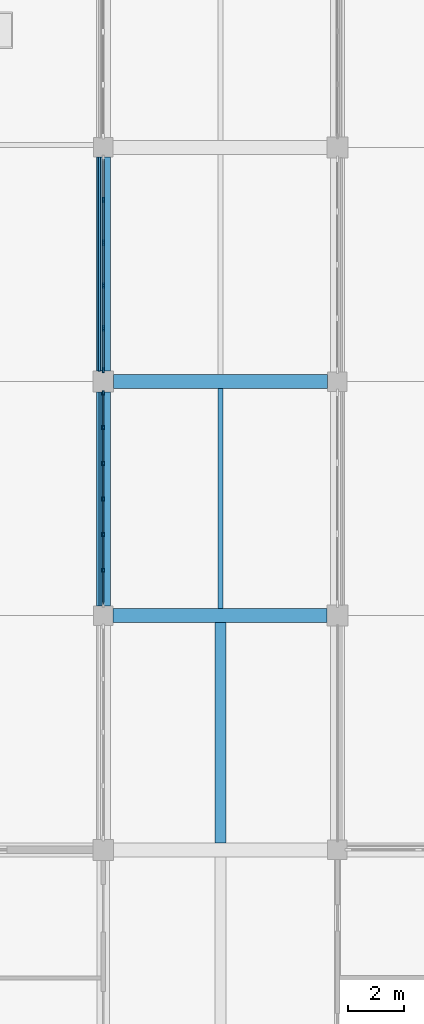
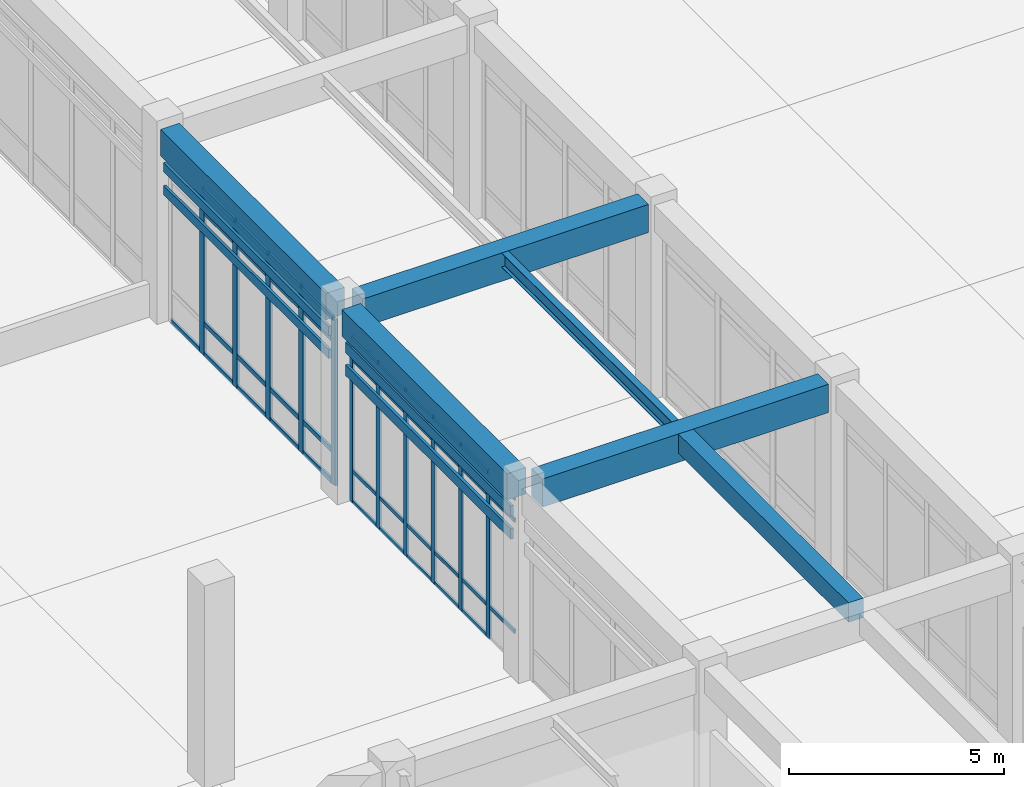
# One storey, part 27 of 91: 55 members, 6 beams, 2 elements without a shape of their own.
"""IFC4 building model written with IfcOpenShell, lengths in metres."""

from ifc_helpers import new_model, si_unit, direction, frame, origin, origin_2d, place, context, subcontext, project, spatial, rectangle, i_section, extrude, material, layer, layer_set, material_profile, profile_set, type_object, element, aggregate, save


model = new_model("IFC4")

# Units and contexts
model_context = context("Model", 3, precision=1e-05, world=origin(), true_north=direction((0.0, 1.0)))
body_context = subcontext(model_context, "Body", "Model", "MODEL_VIEW")
ifc_project = project(units=[si_unit("LENGTHUNIT", "METRE"), si_unit("AREAUNIT", "SQUARE_METRE"), si_unit("VOLUMEUNIT", "CUBIC_METRE"), si_unit("PLANEANGLEUNIT", "RADIAN"), si_unit("MASSUNIT", "GRAM", prefix="KILO")], contexts=[model_context])

# Site, building, storey
site_placement = place(None, origin())
site = spatial("IfcSite", under=ifc_project, at=site_placement, CompositionType="ELEMENT")
building_placement = place(site_placement, origin())
building = spatial("IfcBuilding", under=site, at=building_placement, Name="Porcellanite Civic Hall", CompositionType="ELEMENT")
storey_placement = place(building_placement, origin())
storey = spatial("IfcBuildingStorey", under=building, at=storey_placement, Name="L00", CompositionType="ELEMENT", Elevation=0.0)

# Beams
ifc_material_1 = material(Name="Concrete N50 (50 MPa)", Category="concrete")
ifc_material_profile_1 = material_profile(ifc_material_1, rectangle(XDim=0.39990234375, YDim=0.550048828125, at=origin_2d()), Name="RC-400x550")
ifc_profile_set_1 = profile_set([ifc_material_profile_1], Name="Concrete N50 (50 MPa)")
beam_type_1 = type_object("IfcBeamType", Name="BM-RC550", PredefinedType="JOIST", material=ifc_profile_set_1)
beam_1_placement = place(storey_placement, frame((121.800048828125, 67.449462890625, 5.22509765625), z_axis=(0.0, 1.0, 0.0), x_axis=(-1.0, 0.0, 0.0)))
element("IfcBeam", 1, at=beam_1_placement, inside=storey, type_object=beam_type_1, Name="Secondary joist L00 15-9", PredefinedType="JOIST", context=body_context, shape_type="SweptSolid", body=[
    extrude(rectangle(XDim=0.39990234375, YDim=0.550048828125, at=origin_2d()), origin(), (0.0, 0.0, 1.0), 7.901123046875),
])
ifc_material_2 = material(Name="Concrete N50 (50 MPa)", Category="concrete")
ifc_material_profile_2 = material_profile(ifc_material_2, rectangle(XDim=0.5, YDim=0.75, at=origin_2d()), Name="RC-500x750")
ifc_profile_set_2 = profile_set([ifc_material_profile_2], Name="Concrete N50 (50 MPa)")
beam_type_2 = type_object("IfcBeamType", Name="BM-RC750", PredefinedType="SPANDREL", material=ifc_profile_set_2)
for number, where, z_axis, x_axis, name in (
    (2, (117.60009765625, 75.949462890625, 5.125), (0.0, 1.0, 0.0), (-1.0, 0.0, 0.0), "Beam Y L00 15-10"),
    (3, (117.60009765625, 84.37451171875, 5.125), (0.0, 1.0, 0.0), (-1.0, 0.0, 0.0), "Beam Y L00 15-11"),
):
    element("IfcBeam", number, at=place(storey_placement, frame(where, z_axis=z_axis, x_axis=x_axis)), inside=storey, type_object=beam_type_2, Name=name, PredefinedType="SPANDREL", context=body_context, shape_type="SweptSolid", body=[
        extrude(rectangle(XDim=0.5, YDim=0.75, at=origin_2d()), origin(), (0.0, 0.0, 1.0), 7.676025390625),
    ])
ifc_material_3 = material(Name="Concrete N50 (50 MPa)", Category="concrete")
ifc_material_profile_3 = material_profile(ifc_material_3, rectangle(XDim=0.5, YDim=0.800048828125, at=origin_2d()), Name="RC-500x800")
ifc_profile_set_3 = profile_set([ifc_material_profile_3], Name="Concrete N50 (50 MPa)")
beam_type_3 = type_object("IfcBeamType", Name="BM-RC800", PredefinedType="BEAM", material=ifc_profile_set_3)
beam_2_placement = place(storey_placement, frame((117.949462890625, 75.60009765625, 5.10009765625), z_axis=(1.0, 0.0, 0.0), x_axis=(0.0, 1.0, 0.0)))
element("IfcBeam", 4, at=beam_2_placement, inside=storey, type_object=beam_type_3, Name="Beam X L00 15-10", PredefinedType="BEAM", context=body_context, shape_type="SweptSolid", body=[
    extrude(rectangle(XDim=0.5, YDim=0.800048828125, at=origin_2d()), origin(), (0.0, 0.0, 1.0), 7.676025390625),
])
beam_3_placement = place(storey_placement, frame((117.974609375, 84.0, 5.10009765625), z_axis=(1.0, 0.0, 0.0), x_axis=(0.0, 1.0, 0.0)))
element("IfcBeam", 5, at=beam_3_placement, inside=storey, type_object=beam_type_3, Name="Beam X L00 15-11", PredefinedType="BEAM", context=body_context, shape_type="SweptSolid", body=[
    extrude(rectangle(XDim=0.5, YDim=0.800048828125, at=origin_2d()), origin(), (0.0, 0.0, 1.0), 7.67578125),
])

# Curtain wall, members
ifc_material_4 = material(Name="Anodised aluminium and solar laminated glass", Category="aluminium")
ifc_layer_1 = layer(ifc_material_4, 0.179931640625)
ifc_layer_set_1 = layer_set([ifc_layer_1], Name="Anodised aluminium and solar laminated glass")
curtain_wall_type_1 = type_object("IfcCurtainWallType", Name="CW-SYS01", PredefinedType="NOTDEFINED", material=ifc_layer_set_1)
curtain_wall_1_placement = place(storey_placement, origin())
curtain_wall_1 = element("IfcCurtainWall", 6, at=curtain_wall_1_placement, inside=storey, type_object=curtain_wall_type_1, Name="Curtain wall CW-041", PredefinedType="NOTDEFINED")
ifc_material_5 = material(Name="Anodised aluminium 6063-T6", Category="aluminium")
ifc_material_profile_4 = material_profile(ifc_material_5, rectangle(XDim=0.070068359375, YDim=0.199951171875, at=origin_2d()), Name="AL-70x200")
ifc_profile_set_4 = profile_set([ifc_material_profile_4], Name="Anodised aluminium 6063-T6")
member_type_1 = type_object("IfcMemberType", Name="CWM-05", PredefinedType="MULLION", material=ifc_profile_set_4)
member_1_placement = place(storey_placement, frame((117.60009765625, 84.410888671875, 0.0), z_axis=(0.0, 0.0, 1.0), x_axis=(-1.0, 0.0, 0.0)))
member_1 = element("IfcMember", 7, at=member_1_placement, type_object=member_type_1, Name="CW-041 mullion 1", PredefinedType="MULLION", context=body_context, shape_type="SweptSolid", body=[
    extrude(rectangle(XDim=0.070068359375, YDim=0.199951171875, at=origin_2d()), origin(), (0.0, 0.0, 1.0), 4.699951171875),
])
member_2_placement = place(storey_placement, frame((117.60009765625, 85.91064453125, 0.0), z_axis=(0.0, 0.0, 1.0), x_axis=(-1.0, 0.0, 0.0)))
member_2 = element("IfcMember", 8, at=member_2_placement, type_object=member_type_1, Name="CW-041 mullion 2", PredefinedType="MULLION", context=body_context, shape_type="SweptSolid", body=[
    extrude(rectangle(XDim=0.070068359375, YDim=0.199951171875, at=origin_2d()), origin(), (0.0, 0.0, 1.0), 4.699951171875),
])
member_3_placement = place(storey_placement, frame((117.60009765625, 87.4453125, 0.0), z_axis=(0.0, 0.0, 1.0), x_axis=(-1.0, 0.0, 0.0)))
member_3 = element("IfcMember", 9, at=member_3_placement, type_object=member_type_1, Name="CW-041 mullion 3", PredefinedType="MULLION", context=body_context, shape_type="SweptSolid", body=[
    extrude(rectangle(XDim=0.070068359375, YDim=0.199951171875, at=origin_2d()), origin(), (0.0, 0.0, 1.0), 4.699951171875),
])
member_4_placement = place(storey_placement, frame((117.60009765625, 88.979736328125, 0.0), z_axis=(0.0, 0.0, 1.0), x_axis=(-1.0, 0.0, 0.0)))
member_4 = element("IfcMember", 10, at=member_4_placement, type_object=member_type_1, Name="CW-041 mullion 4", PredefinedType="MULLION", context=body_context, shape_type="SweptSolid", body=[
    extrude(rectangle(XDim=0.070068359375, YDim=0.199951171875, at=origin_2d()), origin(), (0.0, 0.0, 1.0), 4.699951171875),
])
member_5_placement = place(storey_placement, frame((117.60009765625, 90.514404296875, 0.0), z_axis=(0.0, 0.0, 1.0), x_axis=(-1.0, 0.0, 0.0)))
member_5 = element("IfcMember", 11, at=member_5_placement, type_object=member_type_1, Name="CW-041 mullion 5", PredefinedType="MULLION", context=body_context, shape_type="SweptSolid", body=[
    extrude(rectangle(XDim=0.070068359375, YDim=0.199951171875, at=origin_2d()), origin(), (0.0, 0.0, 1.0), 4.699951171875),
])

ifc_material_6 = material(Name="Anodised aluminium and solar laminated glass", Category="aluminium")
ifc_layer_2 = layer(ifc_material_6, 0.179931640625)
ifc_layer_set_2 = layer_set([ifc_layer_2], Name="Anodised aluminium and solar laminated glass")
curtain_wall_type_2 = type_object("IfcCurtainWallType", Name="CW-SYS07", PredefinedType="NOTDEFINED", material=ifc_layer_set_2)
curtain_wall_2_placement = place(storey_placement, origin())
curtain_wall_2 = element("IfcCurtainWall", 12, at=curtain_wall_2_placement, inside=storey, type_object=curtain_wall_type_2, Name="Curtain wall CW-039", PredefinedType="NOTDEFINED")
ifc_material_7 = material(Name="Anodised aluminium 6063-T6", Category="aluminium")
ifc_material_profile_5 = material_profile(ifc_material_7, rectangle(XDim=0.06005859375, YDim=0.159912109375, at=origin_2d()), Name="AL-60x160")
ifc_profile_set_5 = profile_set([ifc_material_profile_5], Name="Anodised aluminium 6063-T6")
member_type_2 = type_object("IfcMemberType", Name="CWM-07", PredefinedType="MULLION", material=ifc_profile_set_5)
member_6_placement = place(storey_placement, frame((117.60009765625, 77.229736328125, 0.0), z_axis=(0.0, 0.0, 1.0), x_axis=(-1.0, 0.0, 0.0)))
member_6 = element("IfcMember", 13, at=member_6_placement, type_object=member_type_2, Name="CW-039 mullion 2", PredefinedType="MULLION", context=body_context, shape_type="SweptSolid", body=[
    extrude(rectangle(XDim=0.06005859375, YDim=0.159912109375, at=origin_2d()), origin(), (0.0, 0.0, 1.0), 4.699951171875),
])
member_7_placement = place(storey_placement, frame((117.60009765625, 78.508544921875, 0.0), z_axis=(0.0, 0.0, 1.0), x_axis=(-1.0, 0.0, 0.0)))
member_7 = element("IfcMember", 14, at=member_7_placement, type_object=member_type_2, Name="CW-039 mullion 3", PredefinedType="MULLION", context=body_context, shape_type="SweptSolid", body=[
    extrude(rectangle(XDim=0.06005859375, YDim=0.159912109375, at=origin_2d()), origin(), (0.0, 0.0, 1.0), 4.699951171875),
])
member_8_placement = place(storey_placement, frame((117.60009765625, 79.78759765625, 0.0), z_axis=(0.0, 0.0, 1.0), x_axis=(-1.0, 0.0, 0.0)))
member_8 = element("IfcMember", 15, at=member_8_placement, type_object=member_type_2, Name="CW-039 mullion 4", PredefinedType="MULLION", context=body_context, shape_type="SweptSolid", body=[
    extrude(rectangle(XDim=0.06005859375, YDim=0.159912109375, at=origin_2d()), origin(), (0.0, 0.0, 1.0), 4.699951171875),
])
member_9_placement = place(storey_placement, frame((117.60009765625, 81.06640625, 0.0), z_axis=(0.0, 0.0, 1.0), x_axis=(-1.0, 0.0, 0.0)))
member_9 = element("IfcMember", 16, at=member_9_placement, type_object=member_type_2, Name="CW-039 mullion 5", PredefinedType="MULLION", context=body_context, shape_type="SweptSolid", body=[
    extrude(rectangle(XDim=0.06005859375, YDim=0.159912109375, at=origin_2d()), origin(), (0.0, 0.0, 1.0), 4.699951171875),
])
member_10_placement = place(storey_placement, frame((117.60009765625, 82.34521484375, 0.0), z_axis=(0.0, 0.0, 1.0), x_axis=(-1.0, 0.0, 0.0)))
member_10 = element("IfcMember", 17, at=member_10_placement, type_object=member_type_2, Name="CW-039 mullion 6", PredefinedType="MULLION", context=body_context, shape_type="SweptSolid", body=[
    extrude(rectangle(XDim=0.06005859375, YDim=0.159912109375, at=origin_2d()), origin(), (0.0, 0.0, 1.0), 4.699951171875),
])
member_11_placement = place(storey_placement, frame((117.60009765625, 83.593994140625, 0.0), z_axis=(0.0, 0.0, 1.0), x_axis=(-1.0, 0.0, 0.0)))
member_11 = element("IfcMember", 18, at=member_11_placement, type_object=member_type_2, Name="CW-039 mullion 7", PredefinedType="MULLION", context=body_context, shape_type="SweptSolid", body=[
    extrude(rectangle(XDim=0.06005859375, YDim=0.159912109375, at=origin_2d()), origin(), (0.0, 0.0, 1.0), 4.699951171875),
])

# Member
ifc_material_8 = material(Name="Anodised aluminium 6063-T6", Category="aluminium")
ifc_material_profile_6 = material_profile(ifc_material_8, rectangle(XDim=0.06005859375, YDim=0.1298828125, at=origin_2d()), Name="AL-60x130")
ifc_profile_set_6 = profile_set([ifc_material_profile_6], Name="Anodised aluminium 6063-T6")
member_type_3 = type_object("IfcMemberType", Name="CWT-03", PredefinedType="USERDEFINED", material=ifc_profile_set_6)
member_12_placement = place(storey_placement, frame((117.60009765625, 84.446044921875, 0.030029296875), z_axis=(0.0, 1.0, 0.0), x_axis=(-1.0, 0.0, 0.0)))
member_12 = element("IfcMember", 19, at=member_12_placement, type_object=member_type_3, Name="CW-041 transom 1.1", ObjectType="TRANSOM", PredefinedType="USERDEFINED", context=body_context, shape_type="SweptSolid", body=[
    extrude(rectangle(XDim=0.06005859375, YDim=0.1298828125, at=origin_2d()), origin(), (0.0, 0.0, 1.0), 1.429443359375),
])

member_13_placement = place(storey_placement, frame((117.60009765625, 84.446044921875, 0.89990234375), z_axis=(0.0, 1.0, 0.0), x_axis=(-1.0, 0.0, 0.0)))
member_13 = element("IfcMember", 20, at=member_13_placement, type_object=member_type_3, Name="CW-041 transom 1.2", ObjectType="TRANSOM", PredefinedType="USERDEFINED", context=body_context, shape_type="SweptSolid", body=[
    extrude(rectangle(XDim=0.06005859375, YDim=0.1298828125, at=origin_2d()), origin(), (0.0, 0.0, 1.0), 1.429443359375),
])

member_14_placement = place(storey_placement, frame((117.60009765625, 84.446044921875, 4.050048828125), z_axis=(0.0, 1.0, 0.0), x_axis=(-1.0, 0.0, 0.0)))
member_14 = element("IfcMember", 21, at=member_14_placement, type_object=member_type_3, Name="CW-041 transom 1.3", ObjectType="TRANSOM", PredefinedType="USERDEFINED", context=body_context, shape_type="SweptSolid", body=[
    extrude(rectangle(XDim=0.06005859375, YDim=0.1298828125, at=origin_2d()), origin(), (0.0, 0.0, 1.0), 1.429443359375),
])

member_15_placement = place(storey_placement, frame((117.60009765625, 84.446044921875, 4.669921875), z_axis=(0.0, 1.0, 0.0), x_axis=(-1.0, 0.0, 0.0)))
member_15 = element("IfcMember", 22, at=member_15_placement, type_object=member_type_3, Name="CW-041 transom 1.4", ObjectType="TRANSOM", PredefinedType="USERDEFINED", context=body_context, shape_type="SweptSolid", body=[
    extrude(rectangle(XDim=0.06005859375, YDim=0.1298828125, at=origin_2d()), origin(), (0.0, 0.0, 1.0), 1.429443359375),
])

member_16_placement = place(storey_placement, frame((117.60009765625, 85.945556640625, 0.030029296875), z_axis=(0.0, 1.0, 0.0), x_axis=(-1.0, 0.0, 0.0)))
member_16 = element("IfcMember", 23, at=member_16_placement, type_object=member_type_3, Name="CW-041 transom 2.1", ObjectType="TRANSOM", PredefinedType="USERDEFINED", context=body_context, shape_type="SweptSolid", body=[
    extrude(rectangle(XDim=0.06005859375, YDim=0.1298828125, at=origin_2d()), origin(), (0.0, 0.0, 1.0), 1.464599609375),
])

member_17_placement = place(storey_placement, frame((117.60009765625, 85.945556640625, 0.89990234375), z_axis=(0.0, 1.0, 0.0), x_axis=(-1.0, 0.0, 0.0)))
member_17 = element("IfcMember", 24, at=member_17_placement, type_object=member_type_3, Name="CW-041 transom 2.2", ObjectType="TRANSOM", PredefinedType="USERDEFINED", context=body_context, shape_type="SweptSolid", body=[
    extrude(rectangle(XDim=0.06005859375, YDim=0.1298828125, at=origin_2d()), origin(), (0.0, 0.0, 1.0), 1.464599609375),
])

member_18_placement = place(storey_placement, frame((117.60009765625, 85.945556640625, 4.050048828125), z_axis=(0.0, 1.0, 0.0), x_axis=(-1.0, 0.0, 0.0)))
member_18 = element("IfcMember", 25, at=member_18_placement, type_object=member_type_3, Name="CW-041 transom 2.3", ObjectType="TRANSOM", PredefinedType="USERDEFINED", context=body_context, shape_type="SweptSolid", body=[
    extrude(rectangle(XDim=0.06005859375, YDim=0.1298828125, at=origin_2d()), origin(), (0.0, 0.0, 1.0), 1.464599609375),
])

member_19_placement = place(storey_placement, frame((117.60009765625, 85.945556640625, 4.669921875), z_axis=(0.0, 1.0, 0.0), x_axis=(-1.0, 0.0, 0.0)))
member_19 = element("IfcMember", 26, at=member_19_placement, type_object=member_type_3, Name="CW-041 transom 2.4", ObjectType="TRANSOM", PredefinedType="USERDEFINED", context=body_context, shape_type="SweptSolid", body=[
    extrude(rectangle(XDim=0.06005859375, YDim=0.1298828125, at=origin_2d()), origin(), (0.0, 0.0, 1.0), 1.464599609375),
])

member_20_placement = place(storey_placement, frame((117.60009765625, 87.480224609375, 0.030029296875), z_axis=(0.0, 1.0, 0.0), x_axis=(-1.0, 0.0, 0.0)))
member_20 = element("IfcMember", 27, at=member_20_placement, type_object=member_type_3, Name="CW-041 transom 3.1", ObjectType="TRANSOM", PredefinedType="USERDEFINED", context=body_context, shape_type="SweptSolid", body=[
    extrude(rectangle(XDim=0.06005859375, YDim=0.1298828125, at=origin_2d()), origin(), (0.0, 0.0, 1.0), 1.464599609375),
])

member_21_placement = place(storey_placement, frame((117.60009765625, 87.480224609375, 0.89990234375), z_axis=(0.0, 1.0, 0.0), x_axis=(-1.0, 0.0, 0.0)))
member_21 = element("IfcMember", 28, at=member_21_placement, type_object=member_type_3, Name="CW-041 transom 3.2", ObjectType="TRANSOM", PredefinedType="USERDEFINED", context=body_context, shape_type="SweptSolid", body=[
    extrude(rectangle(XDim=0.06005859375, YDim=0.1298828125, at=origin_2d()), origin(), (0.0, 0.0, 1.0), 1.464599609375),
])

member_22_placement = place(storey_placement, frame((117.60009765625, 87.480224609375, 4.050048828125), z_axis=(0.0, 1.0, 0.0), x_axis=(-1.0, 0.0, 0.0)))
member_22 = element("IfcMember", 29, at=member_22_placement, type_object=member_type_3, Name="CW-041 transom 3.3", ObjectType="TRANSOM", PredefinedType="USERDEFINED", context=body_context, shape_type="SweptSolid", body=[
    extrude(rectangle(XDim=0.06005859375, YDim=0.1298828125, at=origin_2d()), origin(), (0.0, 0.0, 1.0), 1.464599609375),
])

member_23_placement = place(storey_placement, frame((117.60009765625, 87.480224609375, 4.669921875), z_axis=(0.0, 1.0, 0.0), x_axis=(-1.0, 0.0, 0.0)))
member_23 = element("IfcMember", 30, at=member_23_placement, type_object=member_type_3, Name="CW-041 transom 3.4", ObjectType="TRANSOM", PredefinedType="USERDEFINED", context=body_context, shape_type="SweptSolid", body=[
    extrude(rectangle(XDim=0.06005859375, YDim=0.1298828125, at=origin_2d()), origin(), (0.0, 0.0, 1.0), 1.464599609375),
])

member_24_placement = place(storey_placement, frame((117.60009765625, 89.014892578125, 0.030029296875), z_axis=(0.0, 1.0, 0.0), x_axis=(-1.0, 0.0, 0.0)))
member_24 = element("IfcMember", 31, at=member_24_placement, type_object=member_type_3, Name="CW-041 transom 4.1", ObjectType="TRANSOM", PredefinedType="USERDEFINED", context=body_context, shape_type="SweptSolid", body=[
    extrude(rectangle(XDim=0.06005859375, YDim=0.1298828125, at=origin_2d()), origin(), (0.0, 0.0, 1.0), 1.464599609375),
])

member_25_placement = place(storey_placement, frame((117.60009765625, 89.014892578125, 0.89990234375), z_axis=(0.0, 1.0, 0.0), x_axis=(-1.0, 0.0, 0.0)))
member_25 = element("IfcMember", 32, at=member_25_placement, type_object=member_type_3, Name="CW-041 transom 4.2", ObjectType="TRANSOM", PredefinedType="USERDEFINED", context=body_context, shape_type="SweptSolid", body=[
    extrude(rectangle(XDim=0.06005859375, YDim=0.1298828125, at=origin_2d()), origin(), (0.0, 0.0, 1.0), 1.464599609375),
])

member_26_placement = place(storey_placement, frame((117.60009765625, 89.014892578125, 4.050048828125), z_axis=(0.0, 1.0, 0.0), x_axis=(-1.0, 0.0, 0.0)))
member_26 = element("IfcMember", 33, at=member_26_placement, type_object=member_type_3, Name="CW-041 transom 4.3", ObjectType="TRANSOM", PredefinedType="USERDEFINED", context=body_context, shape_type="SweptSolid", body=[
    extrude(rectangle(XDim=0.06005859375, YDim=0.1298828125, at=origin_2d()), origin(), (0.0, 0.0, 1.0), 1.464599609375),
])

member_27_placement = place(storey_placement, frame((117.60009765625, 89.014892578125, 4.669921875), z_axis=(0.0, 1.0, 0.0), x_axis=(-1.0, 0.0, 0.0)))
member_27 = element("IfcMember", 34, at=member_27_placement, type_object=member_type_3, Name="CW-041 transom 4.4", ObjectType="TRANSOM", PredefinedType="USERDEFINED", context=body_context, shape_type="SweptSolid", body=[
    extrude(rectangle(XDim=0.06005859375, YDim=0.1298828125, at=origin_2d()), origin(), (0.0, 0.0, 1.0), 1.464599609375),
])

member_28_placement = place(storey_placement, frame((117.60009765625, 90.54931640625, 0.030029296875), z_axis=(0.0, 1.0, 0.0), x_axis=(-1.0, 0.0, 0.0)))
member_28 = element("IfcMember", 35, at=member_28_placement, type_object=member_type_3, Name="CW-041 transom 5.1", ObjectType="TRANSOM", PredefinedType="USERDEFINED", context=body_context, shape_type="SweptSolid", body=[
    extrude(rectangle(XDim=0.06005859375, YDim=0.1298828125, at=origin_2d()), origin(), (0.0, 0.0, 1.0), 1.4296875),
])

aggregate(curtain_wall_1, [member_1, member_2, member_3, member_4, member_5, member_12, member_13, member_14, member_15, member_16, member_17, member_18, member_19, member_20, member_21, member_22, member_23, member_24, member_25, member_26, member_27, member_28])

ifc_material_9 = material(Name="Anodised aluminium 6063-T6", Category="aluminium")
ifc_material_profile_7 = material_profile(ifc_material_9, rectangle(XDim=0.050048828125, YDim=0.110107421875, at=origin_2d()), Name="AL-50x110")
ifc_profile_set_7 = profile_set([ifc_material_profile_7], Name="Anodised aluminium 6063-T6")
member_type_4 = type_object("IfcMemberType", Name="CWT-07", PredefinedType="USERDEFINED", material=ifc_profile_set_7)
member_29_placement = place(storey_placement, frame((117.60009765625, 76.010986328125, 0.89990234375), z_axis=(0.0, 1.0, 0.0), x_axis=(-1.0, 0.0, 0.0)))
member_29 = element("IfcMember", 36, at=member_29_placement, type_object=member_type_4, Name="CW-039 transom 1.2", ObjectType="TRANSOM", PredefinedType="USERDEFINED", context=body_context, shape_type="SweptSolid", body=[
    extrude(rectangle(XDim=0.050048828125, YDim=0.110107421875, at=origin_2d()), origin(), (0.0, 0.0, 1.0), 1.18896484375),
])

member_30_placement = place(storey_placement, frame((117.60009765625, 76.010986328125, 4.050048828125), z_axis=(0.0, 1.0, 0.0), x_axis=(-1.0, 0.0, 0.0)))
member_30 = element("IfcMember", 37, at=member_30_placement, type_object=member_type_4, Name="CW-039 transom 1.3", ObjectType="TRANSOM", PredefinedType="USERDEFINED", context=body_context, shape_type="SweptSolid", body=[
    extrude(rectangle(XDim=0.050048828125, YDim=0.110107421875, at=origin_2d()), origin(), (0.0, 0.0, 1.0), 1.18896484375),
])

member_31_placement = place(storey_placement, frame((117.60009765625, 76.010986328125, 4.675048828125), z_axis=(0.0, 1.0, 0.0), x_axis=(-1.0, 0.0, 0.0)))
member_31 = element("IfcMember", 38, at=member_31_placement, type_object=member_type_4, Name="CW-039 transom 1.4", ObjectType="TRANSOM", PredefinedType="USERDEFINED", context=body_context, shape_type="SweptSolid", body=[
    extrude(rectangle(XDim=0.050048828125, YDim=0.110107421875, at=origin_2d()), origin(), (0.0, 0.0, 1.0), 1.18896484375),
])

member_32_placement = place(storey_placement, frame((117.60009765625, 77.259765625, 0.02490234375), z_axis=(0.0, 1.0, 0.0), x_axis=(-1.0, 0.0, 0.0)))
member_32 = element("IfcMember", 39, at=member_32_placement, type_object=member_type_4, Name="CW-039 transom 2.1", ObjectType="TRANSOM", PredefinedType="USERDEFINED", context=body_context, shape_type="SweptSolid", body=[
    extrude(rectangle(XDim=0.050048828125, YDim=0.110107421875, at=origin_2d()), origin(), (0.0, 0.0, 1.0), 1.218994140625),
])

member_33_placement = place(storey_placement, frame((117.60009765625, 77.259765625, 0.89990234375), z_axis=(0.0, 1.0, 0.0), x_axis=(-1.0, 0.0, 0.0)))
member_33 = element("IfcMember", 40, at=member_33_placement, type_object=member_type_4, Name="CW-039 transom 2.2", ObjectType="TRANSOM", PredefinedType="USERDEFINED", context=body_context, shape_type="SweptSolid", body=[
    extrude(rectangle(XDim=0.050048828125, YDim=0.110107421875, at=origin_2d()), origin(), (0.0, 0.0, 1.0), 1.218994140625),
])

member_34_placement = place(storey_placement, frame((117.60009765625, 77.259765625, 4.050048828125), z_axis=(0.0, 1.0, 0.0), x_axis=(-1.0, 0.0, 0.0)))
member_34 = element("IfcMember", 41, at=member_34_placement, type_object=member_type_4, Name="CW-039 transom 2.3", ObjectType="TRANSOM", PredefinedType="USERDEFINED", context=body_context, shape_type="SweptSolid", body=[
    extrude(rectangle(XDim=0.050048828125, YDim=0.110107421875, at=origin_2d()), origin(), (0.0, 0.0, 1.0), 1.218994140625),
])

member_35_placement = place(storey_placement, frame((117.60009765625, 77.259765625, 4.675048828125), z_axis=(0.0, 1.0, 0.0), x_axis=(-1.0, 0.0, 0.0)))
member_35 = element("IfcMember", 42, at=member_35_placement, type_object=member_type_4, Name="CW-039 transom 2.4", ObjectType="TRANSOM", PredefinedType="USERDEFINED", context=body_context, shape_type="SweptSolid", body=[
    extrude(rectangle(XDim=0.050048828125, YDim=0.110107421875, at=origin_2d()), origin(), (0.0, 0.0, 1.0), 1.218994140625),
])

member_36_placement = place(storey_placement, frame((117.60009765625, 78.53857421875, 0.02490234375), z_axis=(0.0, 1.0, 0.0), x_axis=(-1.0, 0.0, 0.0)))
member_36 = element("IfcMember", 43, at=member_36_placement, type_object=member_type_4, Name="CW-039 transom 3.1", ObjectType="TRANSOM", PredefinedType="USERDEFINED", context=body_context, shape_type="SweptSolid", body=[
    extrude(rectangle(XDim=0.050048828125, YDim=0.110107421875, at=origin_2d()), origin(), (0.0, 0.0, 1.0), 1.218994140625),
])

member_37_placement = place(storey_placement, frame((117.60009765625, 78.53857421875, 0.89990234375), z_axis=(0.0, 1.0, 0.0), x_axis=(-1.0, 0.0, 0.0)))
member_37 = element("IfcMember", 44, at=member_37_placement, type_object=member_type_4, Name="CW-039 transom 3.2", ObjectType="TRANSOM", PredefinedType="USERDEFINED", context=body_context, shape_type="SweptSolid", body=[
    extrude(rectangle(XDim=0.050048828125, YDim=0.110107421875, at=origin_2d()), origin(), (0.0, 0.0, 1.0), 1.218994140625),
])

member_38_placement = place(storey_placement, frame((117.60009765625, 78.53857421875, 4.050048828125), z_axis=(0.0, 1.0, 0.0), x_axis=(-1.0, 0.0, 0.0)))
member_38 = element("IfcMember", 45, at=member_38_placement, type_object=member_type_4, Name="CW-039 transom 3.3", ObjectType="TRANSOM", PredefinedType="USERDEFINED", context=body_context, shape_type="SweptSolid", body=[
    extrude(rectangle(XDim=0.050048828125, YDim=0.110107421875, at=origin_2d()), origin(), (0.0, 0.0, 1.0), 1.218994140625),
])

member_39_placement = place(storey_placement, frame((117.60009765625, 78.53857421875, 4.675048828125), z_axis=(0.0, 1.0, 0.0), x_axis=(-1.0, 0.0, 0.0)))
member_39 = element("IfcMember", 46, at=member_39_placement, type_object=member_type_4, Name="CW-039 transom 3.4", ObjectType="TRANSOM", PredefinedType="USERDEFINED", context=body_context, shape_type="SweptSolid", body=[
    extrude(rectangle(XDim=0.050048828125, YDim=0.110107421875, at=origin_2d()), origin(), (0.0, 0.0, 1.0), 1.218994140625),
])

member_40_placement = place(storey_placement, frame((117.60009765625, 79.8173828125, 0.02490234375), z_axis=(0.0, 1.0, 0.0), x_axis=(-1.0, 0.0, 0.0)))
member_40 = element("IfcMember", 47, at=member_40_placement, type_object=member_type_4, Name="CW-039 transom 4.1", ObjectType="TRANSOM", PredefinedType="USERDEFINED", context=body_context, shape_type="SweptSolid", body=[
    extrude(rectangle(XDim=0.050048828125, YDim=0.110107421875, at=origin_2d()), origin(), (0.0, 0.0, 1.0), 1.218994140625),
])

member_41_placement = place(storey_placement, frame((117.60009765625, 79.8173828125, 0.89990234375), z_axis=(0.0, 1.0, 0.0), x_axis=(-1.0, 0.0, 0.0)))
member_41 = element("IfcMember", 48, at=member_41_placement, type_object=member_type_4, Name="CW-039 transom 4.2", ObjectType="TRANSOM", PredefinedType="USERDEFINED", context=body_context, shape_type="SweptSolid", body=[
    extrude(rectangle(XDim=0.050048828125, YDim=0.110107421875, at=origin_2d()), origin(), (0.0, 0.0, 1.0), 1.218994140625),
])

member_42_placement = place(storey_placement, frame((117.60009765625, 79.8173828125, 4.050048828125), z_axis=(0.0, 1.0, 0.0), x_axis=(-1.0, 0.0, 0.0)))
member_42 = element("IfcMember", 49, at=member_42_placement, type_object=member_type_4, Name="CW-039 transom 4.3", ObjectType="TRANSOM", PredefinedType="USERDEFINED", context=body_context, shape_type="SweptSolid", body=[
    extrude(rectangle(XDim=0.050048828125, YDim=0.110107421875, at=origin_2d()), origin(), (0.0, 0.0, 1.0), 1.218994140625),
])

member_43_placement = place(storey_placement, frame((117.60009765625, 79.8173828125, 4.675048828125), z_axis=(0.0, 1.0, 0.0), x_axis=(-1.0, 0.0, 0.0)))
member_43 = element("IfcMember", 50, at=member_43_placement, type_object=member_type_4, Name="CW-039 transom 4.4", ObjectType="TRANSOM", PredefinedType="USERDEFINED", context=body_context, shape_type="SweptSolid", body=[
    extrude(rectangle(XDim=0.050048828125, YDim=0.110107421875, at=origin_2d()), origin(), (0.0, 0.0, 1.0), 1.218994140625),
])

member_44_placement = place(storey_placement, frame((117.60009765625, 81.096435546875, 0.02490234375), z_axis=(0.0, 1.0, 0.0), x_axis=(-1.0, 0.0, 0.0)))
member_44 = element("IfcMember", 51, at=member_44_placement, type_object=member_type_4, Name="CW-039 transom 5.1", ObjectType="TRANSOM", PredefinedType="USERDEFINED", context=body_context, shape_type="SweptSolid", body=[
    extrude(rectangle(XDim=0.050048828125, YDim=0.110107421875, at=origin_2d()), origin(), (0.0, 0.0, 1.0), 1.21875),
])

member_45_placement = place(storey_placement, frame((117.60009765625, 81.096435546875, 0.89990234375), z_axis=(0.0, 1.0, 0.0), x_axis=(-1.0, 0.0, 0.0)))
member_45 = element("IfcMember", 52, at=member_45_placement, type_object=member_type_4, Name="CW-039 transom 5.2", ObjectType="TRANSOM", PredefinedType="USERDEFINED", context=body_context, shape_type="SweptSolid", body=[
    extrude(rectangle(XDim=0.050048828125, YDim=0.110107421875, at=origin_2d()), origin(), (0.0, 0.0, 1.0), 1.21875),
])

member_46_placement = place(storey_placement, frame((117.60009765625, 81.096435546875, 4.050048828125), z_axis=(0.0, 1.0, 0.0), x_axis=(-1.0, 0.0, 0.0)))
member_46 = element("IfcMember", 53, at=member_46_placement, type_object=member_type_4, Name="CW-039 transom 5.3", ObjectType="TRANSOM", PredefinedType="USERDEFINED", context=body_context, shape_type="SweptSolid", body=[
    extrude(rectangle(XDim=0.050048828125, YDim=0.110107421875, at=origin_2d()), origin(), (0.0, 0.0, 1.0), 1.21875),
])

member_47_placement = place(storey_placement, frame((117.60009765625, 81.096435546875, 4.675048828125), z_axis=(0.0, 1.0, 0.0), x_axis=(-1.0, 0.0, 0.0)))
member_47 = element("IfcMember", 54, at=member_47_placement, type_object=member_type_4, Name="CW-039 transom 5.4", ObjectType="TRANSOM", PredefinedType="USERDEFINED", context=body_context, shape_type="SweptSolid", body=[
    extrude(rectangle(XDim=0.050048828125, YDim=0.110107421875, at=origin_2d()), origin(), (0.0, 0.0, 1.0), 1.21875),
])

member_48_placement = place(storey_placement, frame((117.60009765625, 82.375244140625, 0.02490234375), z_axis=(0.0, 1.0, 0.0), x_axis=(-1.0, 0.0, 0.0)))
member_48 = element("IfcMember", 55, at=member_48_placement, type_object=member_type_4, Name="CW-039 transom 6.1", ObjectType="TRANSOM", PredefinedType="USERDEFINED", context=body_context, shape_type="SweptSolid", body=[
    extrude(rectangle(XDim=0.050048828125, YDim=0.110107421875, at=origin_2d()), origin(), (0.0, 0.0, 1.0), 1.188720703125),
])

member_49_placement = place(storey_placement, frame((117.60009765625, 82.375244140625, 0.89990234375), z_axis=(0.0, 1.0, 0.0), x_axis=(-1.0, 0.0, 0.0)))
member_49 = element("IfcMember", 56, at=member_49_placement, type_object=member_type_4, Name="CW-039 transom 6.2", ObjectType="TRANSOM", PredefinedType="USERDEFINED", context=body_context, shape_type="SweptSolid", body=[
    extrude(rectangle(XDim=0.050048828125, YDim=0.110107421875, at=origin_2d()), origin(), (0.0, 0.0, 1.0), 1.188720703125),
])

member_50_placement = place(storey_placement, frame((117.60009765625, 82.375244140625, 4.050048828125), z_axis=(0.0, 1.0, 0.0), x_axis=(-1.0, 0.0, 0.0)))
member_50 = element("IfcMember", 57, at=member_50_placement, type_object=member_type_4, Name="CW-039 transom 6.3", ObjectType="TRANSOM", PredefinedType="USERDEFINED", context=body_context, shape_type="SweptSolid", body=[
    extrude(rectangle(XDim=0.050048828125, YDim=0.110107421875, at=origin_2d()), origin(), (0.0, 0.0, 1.0), 1.188720703125),
])

member_51_placement = place(storey_placement, frame((117.60009765625, 82.375244140625, 4.675048828125), z_axis=(0.0, 1.0, 0.0), x_axis=(-1.0, 0.0, 0.0)))
member_51 = element("IfcMember", 58, at=member_51_placement, type_object=member_type_4, Name="CW-039 transom 6.4", ObjectType="TRANSOM", PredefinedType="USERDEFINED", context=body_context, shape_type="SweptSolid", body=[
    extrude(rectangle(XDim=0.050048828125, YDim=0.110107421875, at=origin_2d()), origin(), (0.0, 0.0, 1.0), 1.188720703125),
])

aggregate(curtain_wall_2, [member_6, member_7, member_8, member_9, member_10, member_11, member_29, member_30, member_31, member_32, member_33, member_34, member_35, member_36, member_37, member_38, member_39, member_40, member_41, member_42, member_43, member_44, member_45, member_46, member_47, member_48, member_49, member_50, member_51])

# Beam
ifc_material_10 = material(Name="Steel Grade 350", Category="steel")
ifc_material_profile_8 = material_profile(ifc_material_10, i_section(OverallWidth=0.177978515625, OverallDepth=0.406005859375, WebThickness=0.0078125, FlangeThickness=0.0126953125, FilletRadius=0.011474609375, at=origin_2d()), Name="410UB59.7")
ifc_profile_set_8 = profile_set([ifc_material_profile_8], Name="Steel Grade 350")
beam_type_4 = type_object("IfcBeamType", Name="JST-410UB60", PredefinedType="JOIST", material=ifc_profile_set_8)
beam_4_placement = place(storey_placement, frame((121.800048828125, 75.849609375, 5.297119140625), z_axis=(0.0, 1.0, 0.0), x_axis=(-1.0, 0.0, 0.0)))
element("IfcBeam", 59, at=beam_4_placement, inside=storey, type_object=beam_type_4, Name="Secondary joist L00 15-10", PredefinedType="JOIST", context=body_context, shape_type="SweptSolid", body=[
    extrude(i_section(OverallWidth=0.177978515625, OverallDepth=0.406005859375, WebThickness=0.0078125, FlangeThickness=0.0126953125, FilletRadius=0.011474609375, at=origin_2d()), origin(), (0.0, 0.0, 1.0), 7.90087890625),
])

# Members
ifc_material_11 = material(Name="Fluoropolymer bauxite-red aluminium 6063-T6", Category="aluminium")
ifc_material_profile_9 = material_profile(ifc_material_11, rectangle(XDim=0.074951171875, YDim=0.300048828125, at=origin_2d()), Name="AL-75x300")
ifc_profile_set_9 = profile_set([ifc_material_profile_9], Name="Fluoropolymer bauxite-red aluminium 6063-T6")
member_type_5 = type_object("IfcMemberType", Name="LV-BLD04", PredefinedType="USERDEFINED", material=ifc_profile_set_9)
for number, where, z_axis, x_axis, name in (
    (60, (117.48046875, 75.949462890625, 4.39990234375), (0.0, 1.0, 0.0), (-1.0, 0.0, 0.0), "Cyclone sunshade louvre L00 W 14-9 1"),
    (61, (117.48046875, 75.949462890625, 3.75), (0.0, 1.0, 0.0), (-1.0, 0.0, 0.0), "Cyclone sunshade louvre L00 W 14-9 2"),
):
    element("IfcMember", number, at=place(storey_placement, frame(where, z_axis=z_axis, x_axis=x_axis)), inside=storey, type_object=member_type_5, Name=name, ObjectType="LOUVRE BLADE", PredefinedType="USERDEFINED", context=body_context, shape_type="SweptSolid", body=[
        extrude(rectangle(XDim=0.074951171875, YDim=0.300048828125, at=origin_2d()), origin(), (0.0, 0.0, 1.0), 7.676025390625),
    ])
ifc_material_12 = material(Name="Fluoropolymer bauxite-red aluminium 6063-T6", Category="aluminium")
ifc_material_profile_10 = material_profile(ifc_material_12, rectangle(XDim=0.070068359375, YDim=0.260009765625, at=origin_2d()), Name="AL-70x260")
ifc_profile_set_10 = profile_set([ifc_material_profile_10], Name="Fluoropolymer bauxite-red aluminium 6063-T6")
member_type_6 = type_object("IfcMemberType", Name="LV-BLD06", PredefinedType="USERDEFINED", material=ifc_profile_set_10)
for number, where, z_axis, x_axis, name in (
    (62, (117.462890625, 84.37451171875, 4.39990234375), (0.0, 1.0, 0.0), (-1.0, 0.0, 0.0), "Cyclone sunshade louvre L00 W 14-10 1"),
    (63, (117.462890625, 84.37451171875, 3.75), (0.0, 1.0, 0.0), (-1.0, 0.0, 0.0), "Cyclone sunshade louvre L00 W 14-10 2"),
):
    element("IfcMember", number, at=place(storey_placement, frame(where, z_axis=z_axis, x_axis=x_axis)), inside=storey, type_object=member_type_6, Name=name, ObjectType="LOUVRE BLADE", PredefinedType="USERDEFINED", context=body_context, shape_type="SweptSolid", body=[
        extrude(rectangle(XDim=0.070068359375, YDim=0.260009765625, at=origin_2d()), origin(), (0.0, 0.0, 1.0), 7.676025390625),
    ])

save(model, "model.ifc")
